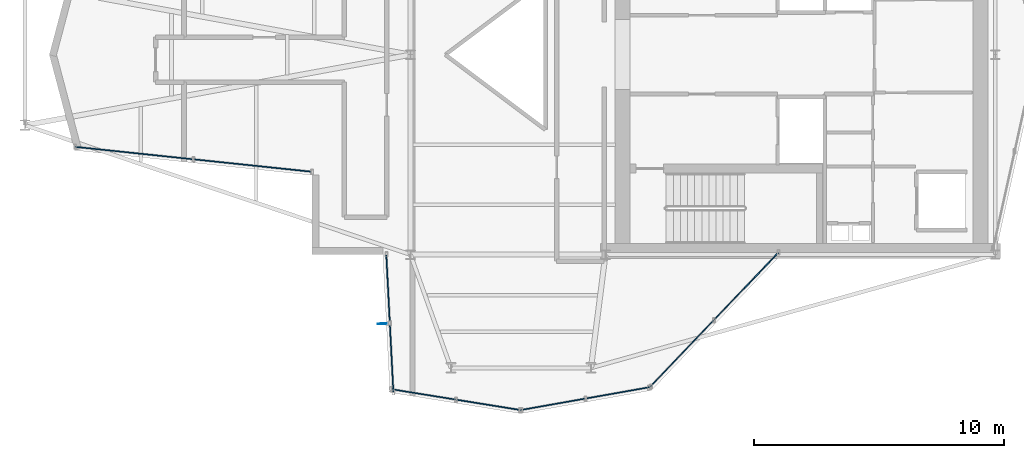
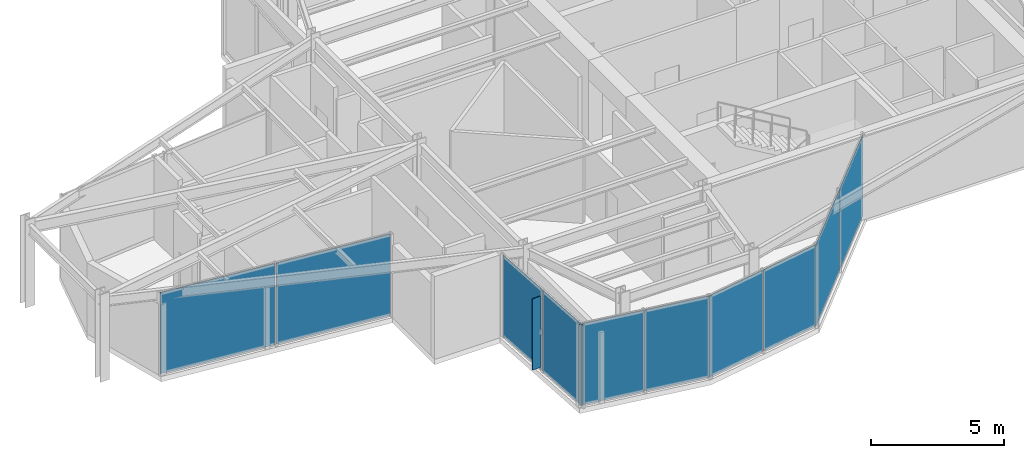
# One storey, part 8 of 13: 11 plates, 5 elements without a shape of their own.
"""IFC4 building model written with IfcOpenShell, lengths in metres."""

import ifcopenshell
import ifcopenshell.guid

model = None  # the IFC model being written
_history = None  # IfcOwnerHistory: only IFC2X3 demands one
_inside = {}  # id of a spatial element -> (the spatial element, [elements in it])
_under = {}  # id of a project, library or spatial element -> (it, [spatial elements below it])
_declared = {}  # id of a project -> (the project, [libraries it declares])
_typed = {}  # id of a type object -> (the type object, [elements of that type])
_made_of = {}  # id of a material, layer set ... -> (it, [elements and type objects made of it])


def new_model(schema):
    """Start an empty IFC model of exactly this schema.

    Asked for "IFC4X3", IfcOpenShell would pick the latest addendum, in which some entities
    have other attributes; the version numbers below select the first issue.
    IFC2X3 requires an IfcOwnerHistory on every rooted entity: one is made here for all.
    """
    global model, _history
    if schema == "IFC4X3":
        model = ifcopenshell.file(schema_version=(4, 3, 0, 0))
    else:
        model = ifcopenshell.file(schema=schema)
    _inside.clear()
    _under.clear()
    _declared.clear()
    _typed.clear()
    _made_of.clear()
    _history = None
    if model.schema == "IFC2X3":
        org = make("IfcOrganization", Name="unknown")
        user = make(
            "IfcPersonAndOrganization",
            ThePerson=make("IfcPerson", FamilyName="unknown"),
            TheOrganization=org,
        )
        app = make(
            "IfcApplication",
            ApplicationDeveloper=org,
            Version="unknown",
            ApplicationFullName="unknown",
            ApplicationIdentifier="unknown",
        )
        _history = make(
            "IfcOwnerHistory",
            OwningUser=user,
            OwningApplication=app,
            ChangeAction="ADDED",
            CreationDate=0,
        )
    return model


def make(cls, **values):
    """One entity of the class cls with the attributes given. An attribute that is None is left unset."""
    return model.create_entity(
        cls, **{name: value for name, value in values.items() if value is not None}
    )


def rooted(cls, **values):
    """An entity with a GlobalId (a new one), such as an element, a storey or a relation."""
    return make(cls, GlobalId=ifcopenshell.guid.new(), OwnerHistory=_history, **values)


def si_unit(unit_type, name, prefix=None):
    """IfcSIUnit, for example si_unit("LENGTHUNIT", "METRE", prefix="MILLI")."""
    return make("IfcSIUnit", UnitType=unit_type, Prefix=prefix, Name=name)


def assignment(units):
    """IfcUnitAssignment: the units of a project."""
    return None if units is None else make("IfcUnitAssignment", Units=units)


def point(xyz):
    """IfcCartesianPoint."""
    return None if xyz is None else make("IfcCartesianPoint", Coordinates=xyz)


def direction(xyz):
    """IfcDirection."""
    return None if xyz is None else make("IfcDirection", DirectionRatios=xyz)


def frame(location, z_axis=None, x_axis=None):
    """IfcAxis2Placement3D, a coordinate frame: its origin and axes. An axis left out is left unset."""
    return make(
        "IfcAxis2Placement3D",
        Location=point(location),
        Axis=direction(z_axis),
        RefDirection=direction(x_axis),
    )


def frame_2d(location, x_axis=None):
    """IfcAxis2Placement2D, a coordinate frame in the plane: its origin and x axis."""
    return make(
        "IfcAxis2Placement2D", Location=point(location), RefDirection=direction(x_axis)
    )


def origin():
    """The frame at (0, 0, 0) with its axes left unset."""
    return frame((0.0, 0.0, 0.0))


def origin_2d():
    """The frame at (0, 0) in the plane with its x axis left unset."""
    return frame_2d((0.0, 0.0))


def place(relative_to, where):
    """IfcLocalPlacement: puts the frame where relative to a parent placement (None: the world)."""
    return make(
        "IfcLocalPlacement", PlacementRelTo=relative_to, RelativePlacement=where
    )


def context(
    kind, dimensions, precision=None, world=None, true_north=None, identifier=None
):
    """IfcGeometricRepresentationContext, for example the 3D "Model" context."""
    return make(
        "IfcGeometricRepresentationContext",
        ContextIdentifier=identifier,
        ContextType=kind,
        CoordinateSpaceDimension=dimensions,
        Precision=precision,
        WorldCoordinateSystem=world,
        TrueNorth=true_north,
    )


def subcontext(parent, identifier, kind, view, scale=None):
    """IfcGeometricRepresentationSubContext, for example "Body" below "Model"."""
    return make(
        "IfcGeometricRepresentationSubContext",
        ContextIdentifier=identifier,
        ContextType=kind,
        ParentContext=parent,
        TargetScale=scale,
        TargetView=view,
    )


def project(units=None, contexts=None):
    """IfcProject with its units and contexts."""
    return rooted(
        "IfcProject",
        Name="project",
        RepresentationContexts=contexts,
        UnitsInContext=assignment(units),
    )


def spatial(cls, under=None, at=None, **own):
    """A site, building, storey or space (cls), placed at a placement, below another one or the project."""
    s = rooted(cls, ObjectPlacement=at, **own)
    if under is not None:
        _under.setdefault(under.id(), (under, []))[1].append(s)
    return s


def profile(cls, at=None, kind="AREA", **sizes):
    """A parametric profile (cls). Its sizes go by their IFC names, for example OverallWidth=200.0."""
    return make(cls, ProfileType=kind, Position=at, **sizes)


def rectangle(**sizes):
    """IfcRectangleProfileDef."""
    return profile("IfcRectangleProfileDef", **sizes)


def extrude(swept, where, along, depth):
    """IfcExtrudedAreaSolid: the profile swept, set in the frame where, extruded along a direction by depth."""
    return make(
        "IfcExtrudedAreaSolid",
        SweptArea=swept,
        Position=where,
        ExtrudedDirection=direction(along),
        Depth=depth,
    )


def shape(context_of_items, identifier, shape_type, items):
    """IfcShapeRepresentation: the items that make up one representation, for example the "Body"."""
    return make(
        "IfcShapeRepresentation",
        ContextOfItems=context_of_items,
        RepresentationIdentifier=identifier,
        RepresentationType=shape_type,
        Items=items,
    )


def material(Name=None, Category=None):
    """IfcMaterial."""
    return make("IfcMaterial", Name=Name, Category=Category)


def layer(
    of_material, thickness, ventilated=None, Name=None, Category=None, Priority=None
):
    """IfcMaterialLayer: one layer of a wall or slab, of a material (None: an air gap)."""
    return make(
        "IfcMaterialLayer",
        Material=of_material,
        LayerThickness=thickness,
        IsVentilated=ventilated,
        Name=Name,
        Category=Category,
        Priority=Priority,
    )


def layer_set(layers, Name=None):
    """IfcMaterialLayerSet."""
    return make("IfcMaterialLayerSet", MaterialLayers=layers, LayerSetName=Name)


def made_of(thing, what):
    """Note that an element or type object is made of a material, layer set ...; save() writes the relation."""
    if what is not None:
        _made_of.setdefault(what.id(), (what, []))[1].append(thing)
    return thing


def type_object(cls, material=None, **own):
    """A type object (cls), such as IfcWallType, which elements share."""
    return made_of(rooted(cls, **own), material)


def element(
    cls,
    number,
    at=None,
    inside=None,
    cuts=None,
    type_object=None,
    material=None,
    context=None,
    identifier="Body",
    shape_type=None,
    held_by="IfcProductDefinitionShape",
    body=None,
    shapes=None,
    **own,
):
    """One element of the class cls, such as IfcWall. Its Tag is "e" and its number.

    at: its placement. inside: the storey or other place that contains it. cuts: it is an
    opening in that element (IfcRelVoidsElement). A single representation is given by context,
    identifier, shape_type and body (its items); several are given by shapes. held_by: the class
    of the entity that holds the representations. save() writes the other relations.
    """
    e = rooted(cls, Tag="e%d" % number, ObjectPlacement=at, **own)
    if body is not None:
        shapes = [shape(context, identifier, shape_type, body)]
    if shapes is not None:
        e.Representation = make(held_by, Representations=shapes)
    if inside is not None:
        _inside.setdefault(inside.id(), (inside, []))[1].append(e)
    if cuts is not None:
        rooted(
            "IfcRelVoidsElement", RelatingBuildingElement=cuts, RelatedOpeningElement=e
        )
    if type_object is not None:
        _typed.setdefault(type_object.id(), (type_object, []))[1].append(e)
    return made_of(e, material)


def aggregate(whole, parts):
    """IfcRelAggregates: a whole, such as a stair, and the parts it consists of."""
    return rooted("IfcRelAggregates", RelatingObject=whole, RelatedObjects=parts)


def save(model, path):
    """Write the relations noted so far, then the file.

    IfcRelAggregates (storeys below a building ...), IfcRelContainedInSpatialStructure (elements
    in a storey), IfcRelDefinesByType, IfcRelAssociatesMaterial and IfcRelDeclares: one each for
    every whole, place, type object, material and project.
    """
    for whole, parts in _under.values():
        aggregate(whole, parts)
    for where, things in _inside.values():
        rooted(
            "IfcRelContainedInSpatialStructure",
            RelatedElements=things,
            RelatingStructure=where,
        )
    for kind, things in _typed.values():
        rooted("IfcRelDefinesByType", RelatedObjects=things, RelatingType=kind)
    for what, things in _made_of.values():
        rooted("IfcRelAssociatesMaterial", RelatedObjects=things, RelatingMaterial=what)
    for by, libraries in _declared.values():
        rooted("IfcRelDeclares", RelatingContext=by, RelatedDefinitions=libraries)
    model.write(path)


model = new_model("IFC4")

# Units and contexts
model_context = context("Model", 3, precision=1e-05, world=origin(), true_north=direction((0.0, 1.0)))
body_context = subcontext(model_context, "Body", "Model", "MODEL_VIEW")
ifc_project = project(units=[si_unit("LENGTHUNIT", "METRE"), si_unit("AREAUNIT", "SQUARE_METRE"), si_unit("VOLUMEUNIT", "CUBIC_METRE"), si_unit("PLANEANGLEUNIT", "RADIAN"), si_unit("MASSUNIT", "GRAM", prefix="KILO")], contexts=[model_context])

# Site, building, storey
site_placement = place(None, origin())
site = spatial("IfcSite", under=ifc_project, at=site_placement, CompositionType="ELEMENT")
building_placement = place(site_placement, origin())
building = spatial("IfcBuilding", under=site, at=building_placement, Name="Veymaron Broadcast Tower", CompositionType="ELEMENT")
storey_placement = place(building_placement, frame((0.0, 0.0, 291.14990234375)))
storey = spatial("IfcBuildingStorey", under=building, at=storey_placement, Name="L68", CompositionType="ELEMENT", Elevation=291.14990234375)

# Curtain wall, plates
ifc_material_1 = material(Name="Anodised aluminium AA 6063-T6 and laminated low-E dark glass", Category="aluminium")
ifc_layer_1 = layer(ifc_material_1, 0.179931640625)
ifc_layer_set_1 = layer_set([ifc_layer_1], Name="Anodised aluminium AA 6063-T6 and laminated low-E dark glass")
curtain_wall_type = type_object("IfcCurtainWallType", Name="CW-SYS-06", PredefinedType="NOTDEFINED", material=ifc_layer_set_1)
curtain_wall_1_placement = place(storey_placement, origin())
curtain_wall_1 = element("IfcCurtainWall", 1, at=curtain_wall_1_placement, inside=storey, type_object=curtain_wall_type, Name="L68 dark-glass curtain wall CW-L68-E14-1", PredefinedType="NOTDEFINED")
ifc_material_2 = material(Name="Insulated dark-anodised aluminium spandrel panel 40 mm", Category="aluminium")
ifc_layer_2 = layer(ifc_material_2, 0.0400390625)
ifc_layer_set_2 = layer_set([ifc_layer_2], Name="Insulated dark-anodised aluminium spandrel panel 40 mm")
plate_type_1 = type_object("IfcPlateType", Name="CW-PNL-03", PredefinedType="CURTAIN_PANEL", material=ifc_layer_set_2)
plate_1_placement = place(storey_placement, frame((20.14697265625, 20.064453125, 0.0400390625), z_axis=(0.0, 0.0, 1.0), x_axis=(0.994518246031, -0.104563178567, 0.0)))
plate_1 = element("IfcPlate", 2, at=plate_1_placement, type_object=plate_type_1, Name="CW-L68-E14-1 unitised curtain panel 0", PredefinedType="CURTAIN_PANEL", context=body_context, shape_type="SweptSolid", body=[
    extrude(rectangle(XDim=4.7109375, YDim=0.0400390625, at=origin_2d()), origin(), (0.0, 0.0, 1.0), 3.72998046875),
])
plate_2_placement = place(storey_placement, frame((24.891845703125, 19.5654296875, 0.0400390625), z_axis=(0.0, 0.0, 1.0), x_axis=(0.994518246031, -0.104563178567, 0.0)))
plate_2 = element("IfcPlate", 3, at=plate_2_placement, type_object=plate_type_1, Name="CW-L68-E14-1 unitised curtain panel 1", PredefinedType="CURTAIN_PANEL", context=body_context, shape_type="SweptSolid", body=[
    extrude(rectangle(XDim=4.7109375, YDim=0.0400390625, at=origin_2d()), origin(), (0.0, 0.0, 1.0), 3.72998046875),
])
aggregate(curtain_wall_1, [plate_1, plate_2])

curtain_wall_2_placement = place(storey_placement, origin())
curtain_wall_2 = element("IfcCurtainWall", 4, at=curtain_wall_2_placement, inside=storey, type_object=curtain_wall_type, Name="L68 dark-glass curtain wall CW-L68-E17-1", PredefinedType="NOTDEFINED")
plate_3_placement = place(storey_placement, frame((30.301513671875, 14.6279296875, 0.0400390625), z_axis=(0.0, 0.0, 1.0), x_axis=(0.051377316741, -0.998679313556, 0.0)))
plate_3 = element("IfcPlate", 5, at=plate_3_placement, type_object=plate_type_1, Name="CW-L68-E17-1 unitised curtain panel 0", PredefinedType="CURTAIN_PANEL", context=body_context, shape_type="SweptSolid", body=[
    extrude(rectangle(XDim=2.7021484375, YDim=0.0400390625, at=origin_2d()), origin(), (0.0, 0.0, 1.0), 3.72998046875),
])
plate_4_placement = place(storey_placement, frame((30.443359375, 11.869384765625, 0.0400390625), z_axis=(0.0, 0.0, 1.0), x_axis=(0.051377316741, -0.998679313556, 0.0)))
plate_4 = element("IfcPlate", 6, at=plate_4_placement, type_object=plate_type_1, Name="CW-L68-E17-1 unitised curtain panel 1", PredefinedType="CURTAIN_PANEL", context=body_context, shape_type="SweptSolid", body=[
    extrude(rectangle(XDim=2.7021484375, YDim=0.0400390625, at=origin_2d()), origin(), (0.0, 0.0, 1.0), 3.72998046875),
])
aggregate(curtain_wall_2, [plate_3, plate_4])

curtain_wall_3_placement = place(storey_placement, origin())
curtain_wall_3 = element("IfcCurtainWall", 7, at=curtain_wall_3_placement, inside=storey, type_object=curtain_wall_type, Name="L68 dark-glass curtain wall CW-L68-E18-1", PredefinedType="NOTDEFINED")
plate_5_placement = place(storey_placement, frame((31.70556640625, 10.409912109375, 0.0400390625), z_axis=(0.0, 0.0, 1.0), x_axis=(0.987250420904, -0.15917476692, 0.0)))
plate_5 = element("IfcPlate", 8, at=plate_5_placement, type_object=plate_type_1, Name="CW-L68-E18-1 unitised curtain panel 0", PredefinedType="CURTAIN_PANEL", context=body_context, shape_type="SweptSolid", body=[
    extrude(rectangle(XDim=2.59130859375, YDim=0.0400390625, at=origin_2d()), origin(), (0.0, 0.0, 1.0), 3.72998046875),
])
plate_6_placement = place(storey_placement, frame((34.32275390625, 9.988037109375, 0.0400390625), z_axis=(0.0, 0.0, 1.0), x_axis=(0.987250420904, -0.15917476692, 0.0)))
plate_6 = element("IfcPlate", 9, at=plate_6_placement, type_object=plate_type_1, Name="CW-L68-E18-1 unitised curtain panel 1", PredefinedType="CURTAIN_PANEL", context=body_context, shape_type="SweptSolid", body=[
    extrude(rectangle(XDim=2.59130859375, YDim=0.0400390625, at=origin_2d()), origin(), (0.0, 0.0, 1.0), 3.72998046875),
])
aggregate(curtain_wall_3, [plate_5, plate_6])

curtain_wall_4_placement = place(storey_placement, origin())
curtain_wall_4 = element("IfcCurtainWall", 10, at=curtain_wall_4_placement, inside=storey, type_object=curtain_wall_type, Name="L68 dark-glass curtain wall CW-L68-E19-1", PredefinedType="NOTDEFINED")
plate_7_placement = place(storey_placement, frame((36.8935546875, 10.0087890625, 0.0400390625), z_axis=(0.0, 0.0, 1.0), x_axis=(0.984634513959, 0.174627815429, 0.0)))
plate_7 = element("IfcPlate", 11, at=plate_7_placement, type_object=plate_type_1, Name="CW-L68-E19-1 unitised curtain panel 0", PredefinedType="CURTAIN_PANEL", context=body_context, shape_type="SweptSolid", body=[
    extrude(rectangle(XDim=2.59814453125, YDim=0.0400390625, at=origin_2d()), origin(), (0.0, 0.0, 1.0), 3.72998046875),
])
plate_8_placement = place(storey_placement, frame((39.5107421875, 10.472900390625, 0.0400390625), z_axis=(0.0, 0.0, 1.0), x_axis=(0.984634513959, 0.174627815429, 0.0)))
plate_8 = element("IfcPlate", 12, at=plate_8_placement, type_object=plate_type_1, Name="CW-L68-E19-1 unitised curtain panel 1", PredefinedType="CURTAIN_PANEL", context=body_context, shape_type="SweptSolid", body=[
    extrude(rectangle(XDim=2.59814453125, YDim=0.0400390625, at=origin_2d()), origin(), (0.0, 0.0, 1.0), 3.72998046875),
])
aggregate(curtain_wall_4, [plate_7, plate_8])

curtain_wall_5_placement = place(storey_placement, origin())
curtain_wall_5 = element("IfcCurtainWall", 13, at=curtain_wall_5_placement, inside=storey, type_object=curtain_wall_type, Name="L68 dark-glass curtain wall CW-L68-E20-1", PredefinedType="NOTDEFINED")
plate_9_placement = place(storey_placement, frame((42.04052734375, 12.022216796875, 0.0400390625), z_axis=(0.0, 0.0, 1.0), x_axis=(0.690869792815, 0.722979203972, 0.0)))
plate_9 = element("IfcPlate", 14, at=plate_9_placement, type_object=plate_type_1, Name="CW-L68-E20-1 unitised curtain panel 0", PredefinedType="CURTAIN_PANEL", context=body_context, shape_type="SweptSolid", body=[
    extrude(rectangle(XDim=3.697265625, YDim=0.0400390625, at=origin_2d()), origin(), (0.0, 0.0, 1.0), 3.72998046875),
])
plate_10_placement = place(storey_placement, frame((44.636474609375, 14.738525390625, 0.0400390625), z_axis=(0.0, 0.0, 1.0), x_axis=(0.690869792815, 0.722979203972, 0.0)))
plate_10 = element("IfcPlate", 15, at=plate_10_placement, type_object=plate_type_1, Name="CW-L68-E20-1 unitised curtain panel 1", PredefinedType="CURTAIN_PANEL", context=body_context, shape_type="SweptSolid", body=[
    extrude(rectangle(XDim=3.697265625, YDim=0.0400390625, at=origin_2d()), origin(), (0.0, 0.0, 1.0), 3.72998046875),
])
aggregate(curtain_wall_5, [plate_9, plate_10])

# Plate
ifc_material_3 = material(Name="Dark-anodised aluminium AA 6061-T6", Category="aluminium")
ifc_layer_3 = layer(ifc_material_3, 0.030029296875)
ifc_layer_set_3 = layer_set([ifc_layer_3], Name="Dark-anodised aluminium AA 6061-T6")
plate_type_2 = type_object("IfcPlateType", Name="FIN-CHEV-02", PredefinedType="USERDEFINED", material=ifc_layer_set_3)
plate_11_placement = place(storey_placement, frame((30.06787109375, 13.23291015625, 0.2666015625), z_axis=(0.0, 0.0, 1.0), x_axis=(-0.998679313556, -0.051377316741, 0.0)))
element("IfcPlate", 16, at=plate_11_placement, inside=storey, type_object=plate_type_2, Name="CW-L68-E17-1 chevron fin 1", ObjectType="FIN", PredefinedType="USERDEFINED", context=body_context, shape_type="SweptSolid", body=[
    extrude(rectangle(XDim=0.35009765625, YDim=0.034912109375, at=origin_2d()), origin(), (0.0, 0.0, 1.0), 3.276611328125),
])

save(model, "model.ifc")
